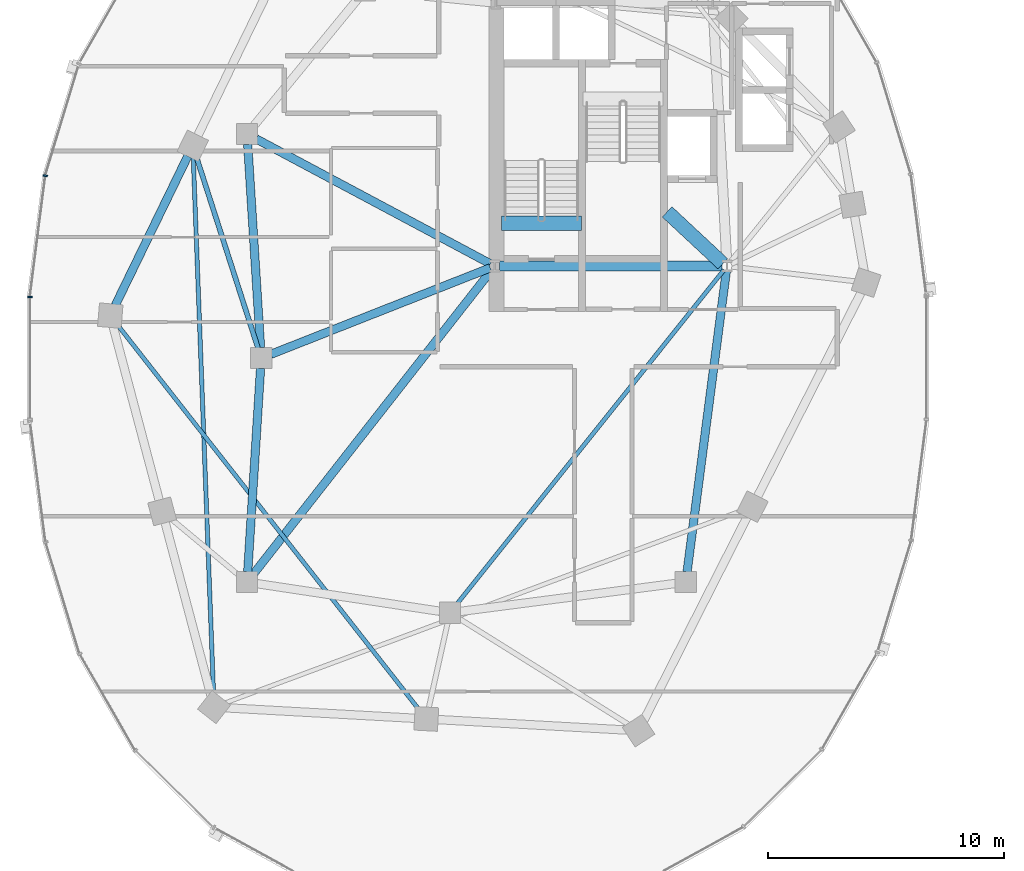
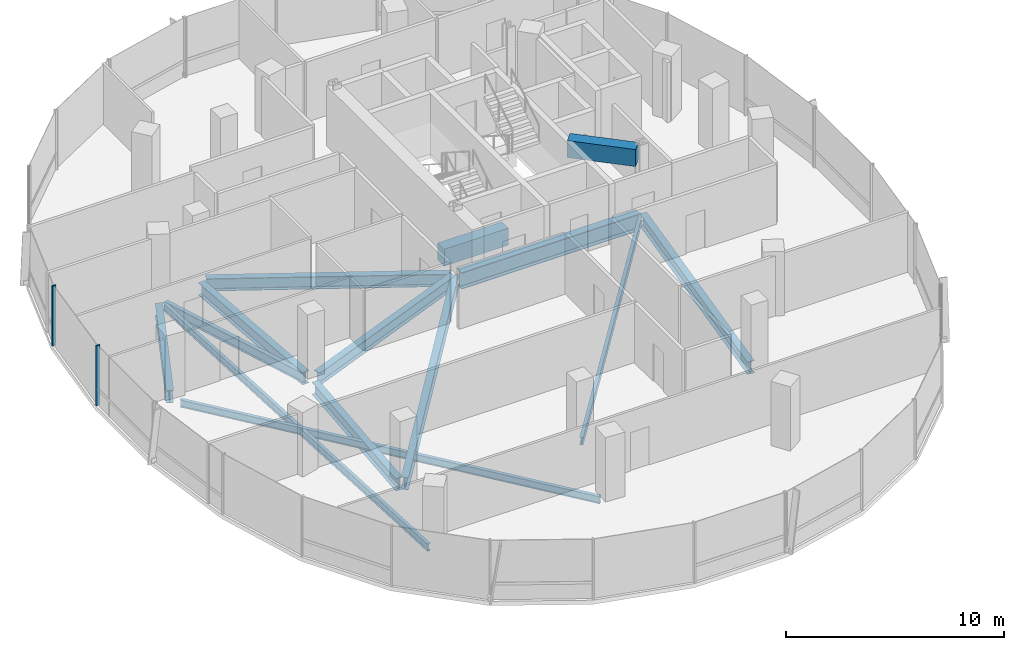
# One storey, part 3 of 23: 14 beams, 2 members, 1 element without a shape of its own.
"""IFC4 building model written with IfcOpenShell, lengths in metres."""

from ifc_helpers import new_model, si_unit, direction, frame, origin, origin_2d, place, context, subcontext, project, spatial, rectangle, i_section, extrude, material, material_profile, profile_set, type_object, element, aggregate, save


model = new_model("IFC4")

# Units and contexts
model_context = context("Model", 3, precision=1e-05, world=origin(), true_north=direction((0.0, 1.0)))
body_context = subcontext(model_context, "Body", "Model", "MODEL_VIEW")
ifc_project = project(units=[si_unit("LENGTHUNIT", "METRE"), si_unit("AREAUNIT", "SQUARE_METRE"), si_unit("VOLUMEUNIT", "CUBIC_METRE"), si_unit("PLANEANGLEUNIT", "RADIAN"), si_unit("MASSUNIT", "GRAM", prefix="KILO"), si_unit("THERMODYNAMICTEMPERATUREUNIT", "KELVIN"), si_unit("POWERUNIT", "WATT")], contexts=[model_context])

# Site, building, storey
site_placement = place(None, origin())
site = spatial("IfcSite", under=ifc_project, at=site_placement, CompositionType="ELEMENT")
building_placement = place(site_placement, origin())
building = spatial("IfcBuilding", under=site, at=building_placement, Name="Cundina Bronze Exchange", CompositionType="ELEMENT")
storey_placement = place(building_placement, frame((0.0, 0.0, 169.199951171875)))
storey = spatial("IfcBuildingStorey", under=building, at=storey_placement, Name="L44", CompositionType="ELEMENT", Elevation=169.199951171875)

# Beams
ifc_material_1 = material(Name="Concrete C60/75", Category="concrete")
ifc_material_profile_1 = material_profile(ifc_material_1, rectangle(XDim=0.60009765625, YDim=0.949951171875, at=origin_2d()), Name="RC600X950", Category="concrete")
ifc_profile_set_1 = profile_set([ifc_material_profile_1], Name="Concrete C60/75")
beam_type_1 = type_object("IfcBeamType", Name="BM-COUP-RC950", PredefinedType="LINTEL", material=ifc_profile_set_1)
beam_1_placement = place(storey_placement, frame((-31.02001953125, 5.719970703125, -0.474853515625), z_axis=(1.0, 0.0, 0.0), x_axis=(0.0, 1.0, 0.0)))
element("IfcBeam", 1, at=beam_1_placement, inside=storey, type_object=beam_type_1, Name="L44 Stair W1 Landing Header Beam", PredefinedType="LINTEL", context=body_context, shape_type="SweptSolid", body=[
    extrude(rectangle(XDim=0.60009765625, YDim=0.949951171875, at=origin_2d()), origin(), (0.0, 0.0, 1.0), 3.39990234375),
])
beam_2_placement = place(storey_placement, frame((-23.989990234375, 6.199951171875, 2.885009765625), z_axis=(0.731490439815, -0.681851696822, 0.0), x_axis=(0.681851696822, 0.731490439815, 0.0)))
element("IfcBeam", 2, at=beam_2_placement, inside=storey, type_object=beam_type_1, Name="L44 W Core Shear Coupling Lintel Beam", PredefinedType="LINTEL", context=body_context, shape_type="SweptSolid", body=[
    extrude(rectangle(XDim=0.60009765625, YDim=0.949951171875, at=origin_2d()), origin(), (0.0, 0.0, 1.0), 3.226318359375),
])
ifc_material_2 = material(Name="Steel ASTM A992 Grade 50", Category="steel")
ifc_material_profile_2 = material_profile(ifc_material_2, i_section(OverallWidth=0.2119140625, OverallDepth=0.5439453125, WebThickness=0.01318359375, FlangeThickness=0.021240234375, FilletRadius=0.013916015625, at=origin_2d()), Name="W21X83", Category="steel")
ifc_profile_set_2 = profile_set([ifc_material_profile_2], Name="Steel ASTM A992 Grade 50")
beam_type_2 = type_object("IfcBeamType", Name="BM-FLR-W21A", PredefinedType="BEAM", material=ifc_profile_set_2)
beam_3_placement = place(storey_placement, frame((-41.334228515625, 0.4169921875, -0.511962890625), z_axis=(-0.30669751302, 0.951807036908, 0.0), x_axis=(-0.951807036908, -0.30669751302, 0.0)))
element("IfcBeam", 3, at=beam_3_placement, inside=storey, type_object=beam_type_2, Name="L44 Leg W Radial Floor Beam 07", PredefinedType="BEAM", context=body_context, shape_type="SweptSolid", body=[
    extrude(i_section(OverallWidth=0.2119140625, OverallDepth=0.5439453125, WebThickness=0.01318359375, FlangeThickness=0.021240234375, FilletRadius=0.013916015625, at=origin_2d()), origin(), (0.0, 0.0, 1.0), 8.529541015625),
])
ifc_material_profile_3 = material_profile(ifc_material_2, i_section(OverallWidth=0.178955078125, OverallDepth=0.409912109375, WebThickness=0.0087890625, FlangeThickness=0.014404296875, FilletRadius=0.010986328125, at=origin_2d()), Name="W16X45", Category="steel")
ifc_profile_set_3 = profile_set([ifc_material_profile_3], Name="Steel ASTM A992 Grade 50")
beam_type_3 = type_object("IfcBeamType", Name="BM-JST-W16", PredefinedType="JOIST", material=ifc_profile_set_3)
beam_4_placement = place(storey_placement, frame((-21.577392578125, 3.740478515625, -0.445068359375), z_axis=(-0.624370675223, -0.781128196854, 0.0), x_axis=(0.781128196854, -0.624370675223, 0.0)))
element("IfcBeam", 4, at=beam_4_placement, inside=storey, type_object=beam_type_3, Name="L44 W Interior Core-to-Ring Joist 2", PredefinedType="JOIST", context=body_context, shape_type="SweptSolid", body=[
    extrude(i_section(OverallWidth=0.178955078125, OverallDepth=0.409912109375, WebThickness=0.0087890625, FlangeThickness=0.014404296875, FilletRadius=0.010986328125, at=origin_2d()), origin(), (0.0, 0.0, 1.0), 18.177001953125),
])
beam_5_placement = place(storey_placement, frame((-44.08154296875, 8.51220703125, -0.445068359375), z_axis=(0.037784933381, -0.999285894431, 0.0), x_axis=(0.999285894431, 0.037784933381, 0.0)))
element("IfcBeam", 5, at=beam_5_placement, inside=storey, type_object=beam_type_3, Name="L44 Leg W Lobe Floor Joist 07-10", PredefinedType="JOIST", context=body_context, shape_type="SweptSolid", body=[
    extrude(i_section(OverallWidth=0.178955078125, OverallDepth=0.409912109375, WebThickness=0.0087890625, FlangeThickness=0.014404296875, FilletRadius=0.010986328125, at=origin_2d()), origin(), (0.0, 0.0, 1.0), 22.8408203125),
])
beam_6_placement = place(storey_placement, frame((-47.299072265625, 1.416015625, -0.445068359375), z_axis=(0.616801484103, -0.787118751656, 0.0), x_axis=(0.787118751656, 0.616801484103, 0.0)))
element("IfcBeam", 6, at=beam_6_placement, inside=storey, type_object=beam_type_3, Name="L44 Leg W Lobe Floor Joist 08-11", PredefinedType="JOIST", context=body_context, shape_type="SweptSolid", body=[
    extrude(i_section(OverallWidth=0.178955078125, OverallDepth=0.409912109375, WebThickness=0.0087890625, FlangeThickness=0.014404296875, FilletRadius=0.010986328125, at=origin_2d()), origin(), (0.0, 0.0, 1.0), 20.7490234375),
])
ifc_material_profile_4 = material_profile(ifc_material_2, i_section(OverallWidth=0.35498046875, OverallDepth=0.695068359375, WebThickness=0.015380859375, FlangeThickness=0.02490234375, FilletRadius=0.01806640625, at=origin_2d()), Name="W27X146", Category="steel")
ifc_profile_set_4 = profile_set([ifc_material_profile_4], Name="Steel ASTM A992 Grade 50")
beam_type_4 = type_object("IfcBeamType", Name="BM-RING-W27", PredefinedType="USERDEFINED", material=ifc_profile_set_4)
for number, where, z_axis, x_axis, name in (
    (7, (-41.7724609375, 9.06298828125, -0.58740234375), (0.063046519736, -0.998010589297, 0.0), (0.998010589297, 0.063046519736, 0.0), "L44 W Inner Structural Ring Girder 03"),
    (8, (-41.2275390625, -0.43701171875, -0.58740234375), (-0.063046519736, -0.998010589297, 0.0), (0.998010589297, -0.063046519736, 0.0), "L44 W Inner Structural Ring Girder 04"),
):
    element("IfcBeam", number, at=place(storey_placement, frame(where, z_axis=z_axis, x_axis=x_axis)), inside=storey, type_object=beam_type_4, Name=name, ObjectType="GIRDER", PredefinedType="USERDEFINED", context=body_context, shape_type="SweptSolid", body=[
        extrude(i_section(OverallWidth=0.35498046875, OverallDepth=0.695068359375, WebThickness=0.015380859375, FlangeThickness=0.02490234375, FilletRadius=0.01806640625, at=origin_2d()), origin(), (0.0, 0.0, 1.0), 8.64306640625),
    ])
beam_7_placement = place(storey_placement, frame((-23.143310546875, -9.065673828125, -0.58740234375), z_axis=(0.129507030047, 0.991578503785, 0.0), x_axis=(-0.991578503785, 0.129507030047, 0.0)))
element("IfcBeam", 9, at=beam_7_placement, inside=storey, type_object=beam_type_4, Name="L44 W Inner Structural Ring Girder 07", ObjectType="GIRDER", PredefinedType="USERDEFINED", context=body_context, shape_type="SweptSolid", body=[
    extrude(i_section(OverallWidth=0.35498046875, OverallDepth=0.695068359375, WebThickness=0.015380859375, FlangeThickness=0.02490234375, FilletRadius=0.01806640625, at=origin_2d()), origin(), (0.0, 0.0, 1.0), 12.871826171875),
])
beam_8_placement = place(storey_placement, frame((-31.48974609375, 3.8251953125, -0.58740234375), z_axis=(-0.930405617189, -0.36653156413, 0.0), x_axis=(0.36653156413, -0.930405617189, 0.0)))
element("IfcBeam", 10, at=beam_8_placement, inside=storey, type_object=beam_type_4, Name="L44 W Core-to-Waist Tie Beam 1", ObjectType="GIRDER", PredefinedType="USERDEFINED", context=body_context, shape_type="SweptSolid", body=[
    extrude(i_section(OverallWidth=0.35498046875, OverallDepth=0.695068359375, WebThickness=0.015380859375, FlangeThickness=0.02490234375, FilletRadius=0.01806640625, at=origin_2d()), origin(), (0.0, 0.0, 1.0), 9.99853515625),
])
beam_9_placement = place(storey_placement, frame((-31.47998046875, 3.99609375, -0.58740234375), z_axis=(-0.88235534237, 0.470583733028, 0.0), x_axis=(-0.470583733028, -0.88235534237, 0.0)))
element("IfcBeam", 11, at=beam_9_placement, inside=storey, type_object=beam_type_4, Name="L44 W Core-to-Waist Tie Beam 2", ObjectType="GIRDER", PredefinedType="USERDEFINED", context=body_context, shape_type="SweptSolid", body=[
    extrude(i_section(OverallWidth=0.35498046875, OverallDepth=0.695068359375, WebThickness=0.015380859375, FlangeThickness=0.02490234375, FilletRadius=0.01806640625, at=origin_2d()), origin(), (0.0, 0.0, 1.0), 11.258056640625),
])
beam_10_placement = place(storey_placement, frame((-31.42578125, 3.739501953125, -0.58740234375), z_axis=(-0.616779109924, -0.787136283982, 0.0), x_axis=(0.787136283982, -0.616779109924, 0.0)))
element("IfcBeam", 12, at=beam_10_placement, inside=storey, type_object=beam_type_4, Name="L44 W Core-to-Waist Tie Beam 3", ObjectType="GIRDER", PredefinedType="USERDEFINED", context=body_context, shape_type="SweptSolid", body=[
    extrude(i_section(OverallWidth=0.35498046875, OverallDepth=0.695068359375, WebThickness=0.015380859375, FlangeThickness=0.02490234375, FilletRadius=0.01806640625, at=origin_2d()), origin(), (0.0, 0.0, 1.0), 16.3818359375),
])
beam_11_placement = place(storey_placement, frame((-44.3134765625, 8.56103515625, -0.58740234375), z_axis=(-0.437196998825, -0.89936576776, 0.0), x_axis=(0.89936576776, -0.437196998825, 0.0)))
element("IfcBeam", 13, at=beam_11_placement, inside=storey, type_object=beam_type_4, Name="L44 W Perimeter Ring Girder 07", ObjectType="GIRDER", PredefinedType="USERDEFINED", context=body_context, shape_type="SweptSolid", body=[
    extrude(i_section(OverallWidth=0.35498046875, OverallDepth=0.695068359375, WebThickness=0.015380859375, FlangeThickness=0.02490234375, FilletRadius=0.01806640625, at=origin_2d()), origin(), (0.0, 0.0, 1.0), 7.029541015625),
])
ifc_material_profile_5 = material_profile(ifc_material_2, i_section(OverallWidth=0.41796875, OverallDepth=0.927001953125, WebThickness=0.019287109375, FlangeThickness=0.031982421875, FilletRadius=0.02392578125, at=origin_2d()), Name="W36X231", Category="steel")
ifc_profile_set_5 = profile_set([ifc_material_profile_5], Name="Steel ASTM A992 Grade 50")
beam_type_5 = type_object("IfcBeamType", Name="BM-WRN-W36B", PredefinedType="USERDEFINED", material=ifc_profile_set_5)
beam_12_placement = place(storey_placement, frame((-31.095947265625, 3.89990234375, -0.703369140625), z_axis=(1.0, 0.0, 0.0), x_axis=(0.0, 1.0, 0.0)))
element("IfcBeam", 14, at=beam_12_placement, inside=storey, type_object=beam_type_5, Name="L44 W Core Perimeter Tie Girder 1", ObjectType="GIRDER", PredefinedType="USERDEFINED", context=body_context, shape_type="SweptSolid", body=[
    extrude(i_section(OverallWidth=0.41796875, OverallDepth=0.927001953125, WebThickness=0.019287109375, FlangeThickness=0.031982421875, FilletRadius=0.02392578125, at=origin_2d()), origin(), (0.0, 0.0, 1.0), 9.44189453125),
])

# Curtain wall, members
ifc_material_3 = material(Name="Anodised Bronze Aluminium 6063-T6", Category="aluminium")
curtain_wall_type = type_object("IfcCurtainWallType", Name="CWS-WST-PIN", PredefinedType="NOTDEFINED", material=ifc_material_3)
curtain_wall_placement = place(storey_placement, origin())
curtain_wall = element("IfcCurtainWall", 15, at=curtain_wall_placement, inside=storey, type_object=curtain_wall_type, Name="L44 CW-04 Curtain Wall Run CWR-L44-W2", PredefinedType="NOTDEFINED")
ifc_material_profile_6 = material_profile(ifc_material_3, rectangle(XDim=0.070068359375, YDim=0.18994140625, at=origin_2d()), Name="AL70X190", Category="aluminium")
ifc_profile_set_6 = profile_set([ifc_material_profile_6], Name="Anodised Bronze Aluminium 6063-T6")
member_type = type_object("IfcMemberType", Name="CWM-MUL-190", PredefinedType="MULLION", material=ifc_profile_set_6)
member_1_placement = place(storey_placement, frame((-50.357177734375, 7.731689453125, 0.0), z_axis=(0.0, 0.0, 1.0), x_axis=(-0.126545236492, -0.991960837494, 0.0)))
member_1 = element("IfcMember", 16, at=member_1_placement, type_object=member_type, Name="CW-04 Mullion 6", PredefinedType="MULLION", context=body_context, shape_type="SweptSolid", body=[
    extrude(rectangle(XDim=0.070068359375, YDim=0.18994140625, at=origin_2d()), origin(), (0.0, 0.0, 1.0), 3.360107421875),
])
member_2_placement = place(storey_placement, frame((-51.007080078125, 2.593017578125, 0.0), z_axis=(0.0, 0.0, 1.0), x_axis=(0.0, -1.0, 0.0)))
member_2 = element("IfcMember", 17, at=member_2_placement, type_object=member_type, Name="CW-04 Mullion 7", PredefinedType="MULLION", context=body_context, shape_type="SweptSolid", body=[
    extrude(rectangle(XDim=0.070068359375, YDim=0.18994140625, at=origin_2d()), origin(), (0.0, 0.0, 1.0), 3.360107421875),
])
aggregate(curtain_wall, [member_1, member_2])

save(model, "model.ifc")
